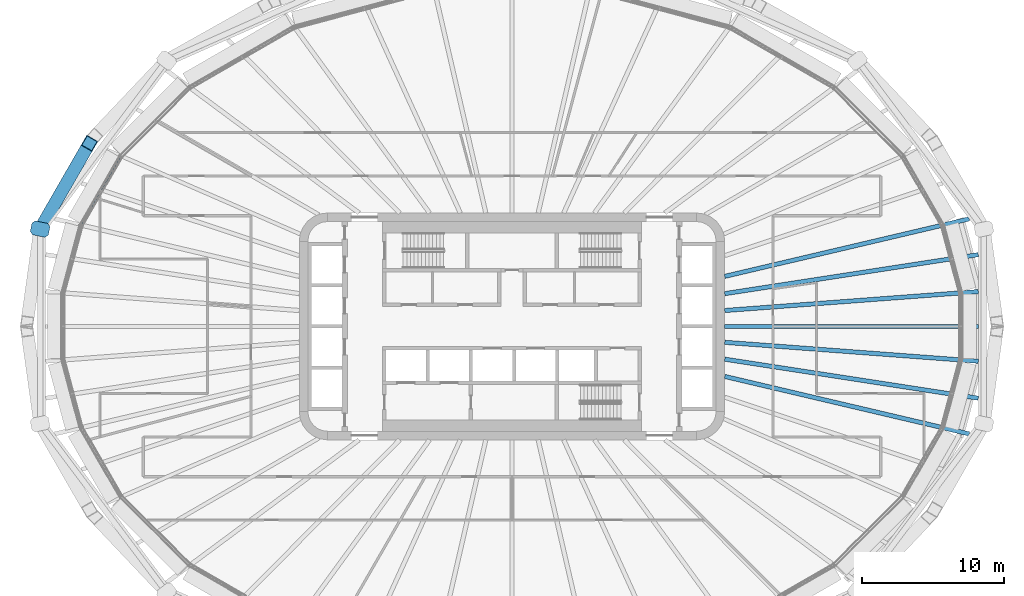
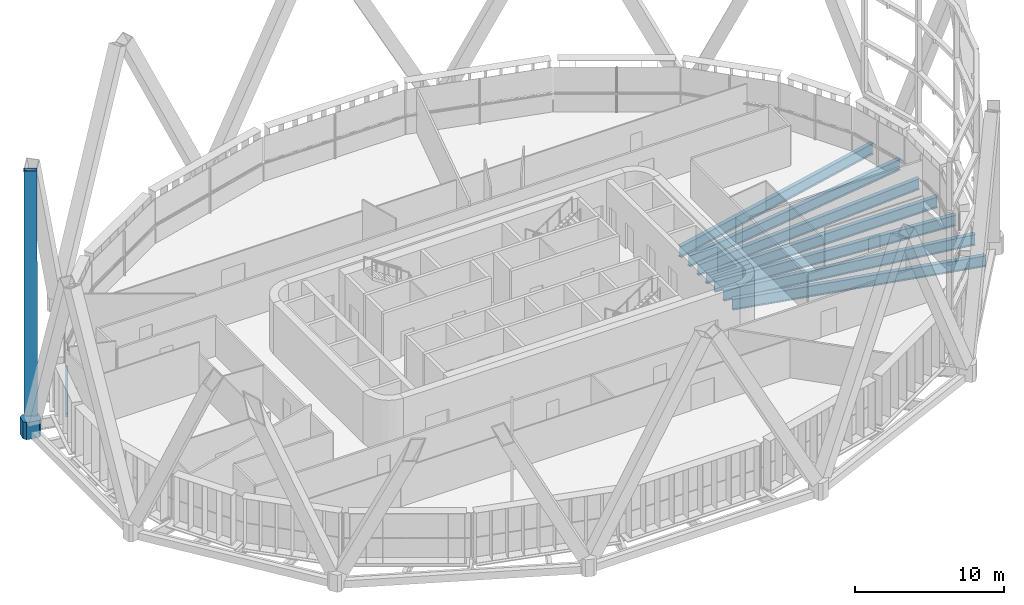
# One storey, part 6 of 26: 8 beams, 2 members.
"""IFC4 building model written with IfcOpenShell, lengths in metres."""

from ifc_helpers import new_model, si_unit, direction, frame, origin, origin_2d, place, context, subcontext, project, spatial, polyline, hollow_rectangle, i_section, outline, extrude, material, material_profile, profile_set, type_object, element, save


model = new_model("IFC4")

# Units and contexts
model_context = context("Model", 3, precision=1e-05, world=origin(), true_north=direction((0.0, 1.0)))
body_context = subcontext(model_context, "Body", "Model", "MODEL_VIEW")
ifc_project = project(units=[si_unit("LENGTHUNIT", "METRE"), si_unit("AREAUNIT", "SQUARE_METRE"), si_unit("VOLUMEUNIT", "CUBIC_METRE"), si_unit("PLANEANGLEUNIT", "RADIAN"), si_unit("MASSUNIT", "GRAM", prefix="KILO")], contexts=[model_context])

# Site, building, storey
site_placement = place(None, origin())
site = spatial("IfcSite", under=ifc_project, at=site_placement, CompositionType="ELEMENT")
building_placement = place(site_placement, origin())
building = spatial("IfcBuilding", under=site, at=building_placement, Name="Sahrelin Media Tower", CompositionType="ELEMENT")
storey_placement = place(building_placement, frame((0.0, 0.0, 131.39990234375)))
storey = spatial("IfcBuildingStorey", under=building, at=storey_placement, Name="L26", CompositionType="ELEMENT", Elevation=131.39990234375)

# Members
ifc_material_1 = material(Name="Steel S460", Category="steel")
ifc_material_profile_1 = material_profile(ifc_material_1, hollow_rectangle(XDim=0.89990234375, YDim=0.89990234375, WallThickness=0.050048828125, at=origin_2d()), Name="Diagrid diagonal DG3")
ifc_profile_set_1 = profile_set([ifc_material_profile_1], Name="Steel S460")
member_type_1 = type_object("IfcMemberType", Name="Diagrid diagonal DG3", PredefinedType="BRACE", material=ifc_profile_set_1)
member_1_placement = place(storey_placement, frame((-33.123046875, 7.12548828125, 0.7001953125), z_axis=(0.1983368601, 0.344642114144, 0.917542534755), x_axis=(-0.866724059619, 0.498787935378, 0.0)))
element("IfcMember", 1, at=member_1_placement, inside=storey, type_object=member_type_1, Name="Diagrid diagonal D05-10", PredefinedType="BRACE", context=body_context, shape_type="SweptSolid", body=[
    extrude(hollow_rectangle(XDim=0.89990234375, YDim=0.89990234375, WallThickness=0.050048828125, at=origin_2d()), origin(), (0.0, 0.0, 1.0), 16.783935546875),
])
ifc_material_profile_2 = material_profile(ifc_material_1, outline(polyline([(0.449951171875, -0.5), (0.64990234375, -0.300048828125), (0.64990234375, 0.300048828125), (0.449951171875, 0.5), (-0.449951171875, 0.5), (-0.64990234375, 0.300048828125), (-0.64990234375, -0.300048828125), (-0.449951171875, -0.5), (0.449951171875, -0.5)])), Name="Diagrid node block 1300")
ifc_profile_set_2 = profile_set([ifc_material_profile_2], Name="Steel S460")
member_type_2 = type_object("IfcMemberType", Name="Diagrid node block 1300", PredefinedType="USERDEFINED", material=ifc_profile_set_2)
member_2_placement = place(storey_placement, frame((-33.2744140625, 6.862548828125, -0.699951171875), z_axis=(0.0, 0.0, 1.0), x_axis=(-0.979387770926, 0.201989094163, 0.0)))
element("IfcMember", 2, at=member_2_placement, inside=storey, type_object=member_type_2, Name="Diagrid node N05-05", ObjectType="NODE", PredefinedType="USERDEFINED", context=body_context, shape_type="SweptSolid", body=[
    extrude(outline(polyline([(0.449951171875, -0.5), (0.64990234375, -0.300048828125), (0.64990234375, 0.300048828125), (0.449951171875, 0.5), (-0.449951171875, 0.5), (-0.64990234375, 0.300048828125), (-0.64990234375, -0.300048828125), (-0.449951171875, -0.5), (0.449951171875, -0.5)])), origin(), (0.0, 0.0, 1.0), 1.400146484375),
])

# Beams
ifc_material_2 = material(Name="Steel S355", Category="steel")
ifc_material_profile_3 = material_profile(ifc_material_2, i_section(OverallWidth=0.1650390625, OverallDepth=0.303466796875, WebThickness=0.006103515625, FlangeThickness=0.01025390625, FilletRadius=0.0087890625, at=origin_2d()), Name="UB 305x165x40")
ifc_profile_set_3 = profile_set([ifc_material_profile_3], Name="Steel S355")
beam_type_1 = type_object("IfcBeamType", Name="Edge beam EB2", PredefinedType="BEAM", material=ifc_profile_set_3)
beam_1_placement = place(storey_placement, frame((-30.318115234375, 7.118896484375, -0.301513671875), z_axis=(0.500014261081, 0.866017169989, 0.0), x_axis=(-0.866017169989, 0.500014261081, 0.0)))
element("IfcBeam", 3, at=beam_1_placement, inside=storey, type_object=beam_type_1, Name="Edge beam L26-15", PredefinedType="BEAM", context=body_context, shape_type="SweptSolid", body=[
    extrude(i_section(OverallWidth=0.1650390625, OverallDepth=0.303466796875, WebThickness=0.006103515625, FlangeThickness=0.01025390625, FilletRadius=0.0087890625, at=origin_2d()), origin(), (0.0, 0.0, 1.0), 5.576416015625),
])
ifc_material_profile_4 = material_profile(ifc_material_2, i_section(OverallWidth=0.30322265625, OverallDepth=0.903076171875, WebThickness=0.01513671875, FlangeThickness=0.020263671875, FilletRadius=0.01904296875, at=origin_2d()), Name="UB 914x305x201")
ifc_profile_set_4 = profile_set([ifc_material_profile_4], Name="Steel S355")
beam_type_2 = type_object("IfcBeamType", Name="Radial primary beam PB11", PredefinedType="BEAM", material=ifc_profile_set_4)
beam_2_placement = place(storey_placement, frame((15.0, 1.12060546875, -0.601318359375), z_axis=(0.997221001276, 0.074500165201, 0.0), x_axis=(-0.074500165201, 0.997221001276, 0.0)))
element("IfcBeam", 4, at=beam_2_placement, inside=storey, type_object=beam_type_2, Name="Radial beam L26-01", PredefinedType="BEAM", context=body_context, shape_type="SweptSolid", body=[
    extrude(i_section(OverallWidth=0.30322265625, OverallDepth=0.903076171875, WebThickness=0.01513671875, FlangeThickness=0.020263671875, FilletRadius=0.01904296875, at=origin_2d()), origin(), (0.0, 0.0, 1.0), 17.9287109375),
])
for number, where, z_axis, x_axis, name in (
    (5, (15.0, 3.52734375, -0.601318359375), (0.973444098536, 0.228924850169, 0.0), (-0.228924850169, 0.973444098536, 0.0), "Radial beam L26-02"),
    (6, (15.0, -3.52734375, -0.601318359375), (0.973444098536, -0.228924850169, 0.0), (0.228924850169, 0.973444098536, 0.0), "Radial beam L26-23"),
):
    element("IfcBeam", number, at=place(storey_placement, frame(where, z_axis=z_axis, x_axis=x_axis)), inside=storey, type_object=beam_type_2, Name=name, PredefinedType="BEAM", context=body_context, shape_type="SweptSolid", body=[
        extrude(i_section(OverallWidth=0.30322265625, OverallDepth=0.903076171875, WebThickness=0.01513671875, FlangeThickness=0.020263671875, FilletRadius=0.01904296875, at=origin_2d()), origin(), (0.0, 0.0, 1.0), 17.710693359375),
    ])
beam_3_placement = place(storey_placement, frame((15.0, -1.12060546875, -0.601318359375), z_axis=(0.997221001276, -0.074500165201, 0.0), x_axis=(0.074500165201, 0.997221001276, 0.0)))
element("IfcBeam", 7, at=beam_3_placement, inside=storey, type_object=beam_type_2, Name="Radial beam L26-24", PredefinedType="BEAM", context=body_context, shape_type="SweptSolid", body=[
    extrude(i_section(OverallWidth=0.30322265625, OverallDepth=0.903076171875, WebThickness=0.01513671875, FlangeThickness=0.020263671875, FilletRadius=0.01904296875, at=origin_2d()), origin(), (0.0, 0.0, 1.0), 17.9287109375),
])
ifc_material_profile_5 = material_profile(ifc_material_2, i_section(OverallWidth=0.30322265625, OverallDepth=0.903076171875, WebThickness=0.01513671875, FlangeThickness=0.020263671875, FilletRadius=0.01904296875, at=origin_2d()), Name="UB 914x305x201")
ifc_profile_set_5 = profile_set([ifc_material_profile_5], Name="Steel S355")
beam_type_3 = type_object("IfcBeamType", Name="Radial secondary beam SB11", PredefinedType="BEAM", material=ifc_profile_set_5)
for number, where, z_axis, x_axis, name in (
    (8, (15.0, 2.3095703125, -0.601318359375), (0.988354372405, 0.152169755692, 0.0), (-0.152169755692, 0.988354372405, 0.0), "Secondary beam L26-01"),
    (9, (15.0, -2.3095703125, -0.601318359375), (0.988354372405, -0.152169755692, 0.0), (0.152169755692, 0.988354372405, 0.0), "Secondary beam L26-23"),
):
    element("IfcBeam", number, at=place(storey_placement, frame(where, z_axis=z_axis, x_axis=x_axis)), inside=storey, type_object=beam_type_3, Name=name, PredefinedType="BEAM", context=body_context, shape_type="SweptSolid", body=[
        extrude(i_section(OverallWidth=0.30322265625, OverallDepth=0.903076171875, WebThickness=0.01513671875, FlangeThickness=0.020263671875, FilletRadius=0.01904296875, at=origin_2d()), origin(), (0.0, 0.0, 1.0), 18.089599609375),
    ])
beam_4_placement = place(storey_placement, frame((15.0, 0.0, -0.601318359375), z_axis=(1.0, 0.0, 0.0), x_axis=(0.0, 1.0, 0.0)))
element("IfcBeam", 10, at=beam_4_placement, inside=storey, type_object=beam_type_3, Name="Secondary beam L26-24", PredefinedType="BEAM", context=body_context, shape_type="SweptSolid", body=[
    extrude(i_section(OverallWidth=0.30322265625, OverallDepth=0.903076171875, WebThickness=0.01513671875, FlangeThickness=0.020263671875, FilletRadius=0.01904296875, at=origin_2d()), origin(), (0.0, 0.0, 1.0), 17.87890625),
])

save(model, "model.ifc")
